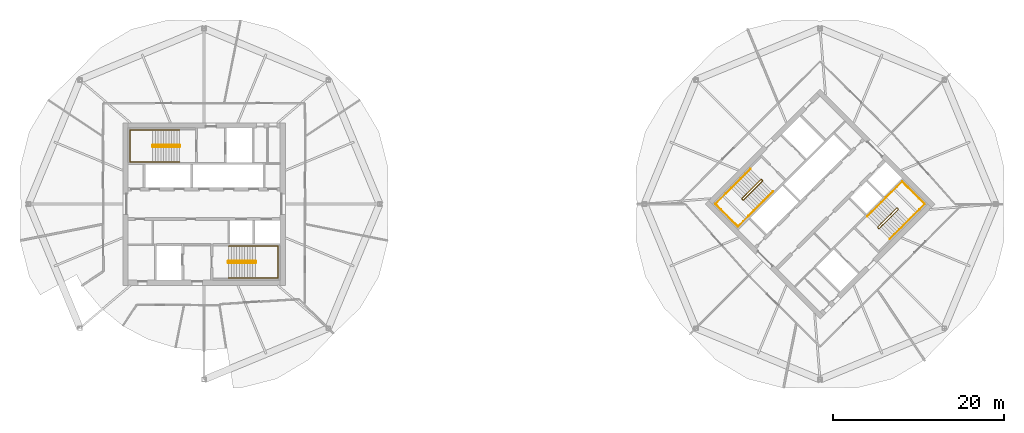
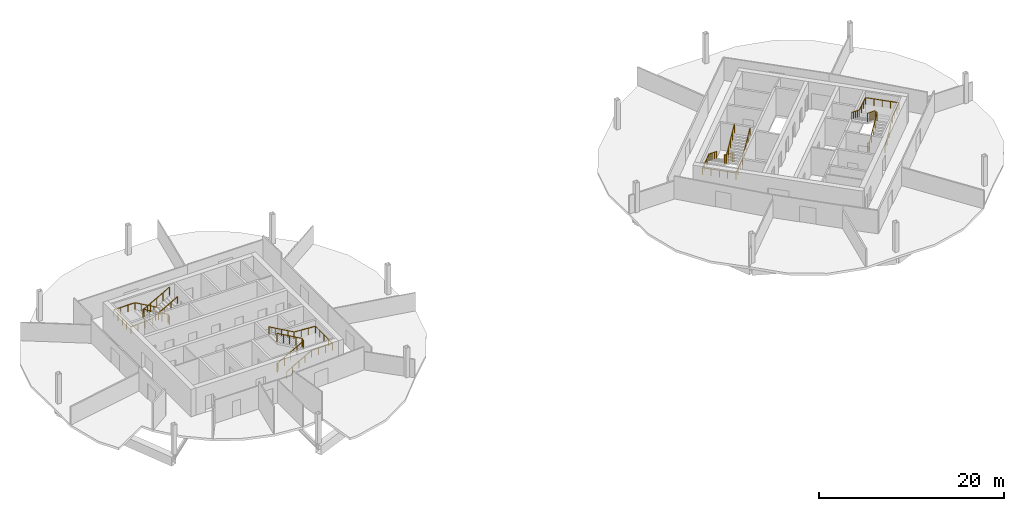
# One storey, part 9 of 9: 8 railings.
"""IFC4 building model written with IfcOpenShell, lengths in metres."""

import ifcopenshell
import ifcopenshell.guid

model = None  # the IFC model being written
_history = None  # IfcOwnerHistory: only IFC2X3 demands one
_inside = {}  # id of a spatial element -> (the spatial element, [elements in it])
_under = {}  # id of a project, library or spatial element -> (it, [spatial elements below it])
_declared = {}  # id of a project -> (the project, [libraries it declares])
_typed = {}  # id of a type object -> (the type object, [elements of that type])
_made_of = {}  # id of a material, layer set ... -> (it, [elements and type objects made of it])


def new_model(schema):
    """Start an empty IFC model of exactly this schema.

    Asked for "IFC4X3", IfcOpenShell would pick the latest addendum, in which some entities
    have other attributes; the version numbers below select the first issue.
    IFC2X3 requires an IfcOwnerHistory on every rooted entity: one is made here for all.
    """
    global model, _history
    if schema == "IFC4X3":
        model = ifcopenshell.file(schema_version=(4, 3, 0, 0))
    else:
        model = ifcopenshell.file(schema=schema)
    _inside.clear()
    _under.clear()
    _declared.clear()
    _typed.clear()
    _made_of.clear()
    _history = None
    if model.schema == "IFC2X3":
        org = make("IfcOrganization", Name="unknown")
        user = make(
            "IfcPersonAndOrganization",
            ThePerson=make("IfcPerson", FamilyName="unknown"),
            TheOrganization=org,
        )
        app = make(
            "IfcApplication",
            ApplicationDeveloper=org,
            Version="unknown",
            ApplicationFullName="unknown",
            ApplicationIdentifier="unknown",
        )
        _history = make(
            "IfcOwnerHistory",
            OwningUser=user,
            OwningApplication=app,
            ChangeAction="ADDED",
            CreationDate=0,
        )
    return model


def make(cls, **values):
    """One entity of the class cls with the attributes given. An attribute that is None is left unset."""
    return model.create_entity(
        cls, **{name: value for name, value in values.items() if value is not None}
    )


def rooted(cls, **values):
    """An entity with a GlobalId (a new one), such as an element, a storey or a relation."""
    return make(cls, GlobalId=ifcopenshell.guid.new(), OwnerHistory=_history, **values)


def si_unit(unit_type, name, prefix=None):
    """IfcSIUnit, for example si_unit("LENGTHUNIT", "METRE", prefix="MILLI")."""
    return make("IfcSIUnit", UnitType=unit_type, Prefix=prefix, Name=name)


def assignment(units):
    """IfcUnitAssignment: the units of a project."""
    return None if units is None else make("IfcUnitAssignment", Units=units)


def point(xyz):
    """IfcCartesianPoint."""
    return None if xyz is None else make("IfcCartesianPoint", Coordinates=xyz)


def direction(xyz):
    """IfcDirection."""
    return None if xyz is None else make("IfcDirection", DirectionRatios=xyz)


def frame(location, z_axis=None, x_axis=None):
    """IfcAxis2Placement3D, a coordinate frame: its origin and axes. An axis left out is left unset."""
    return make(
        "IfcAxis2Placement3D",
        Location=point(location),
        Axis=direction(z_axis),
        RefDirection=direction(x_axis),
    )


def frame_2d(location, x_axis=None):
    """IfcAxis2Placement2D, a coordinate frame in the plane: its origin and x axis."""
    return make(
        "IfcAxis2Placement2D", Location=point(location), RefDirection=direction(x_axis)
    )


def origin():
    """The frame at (0, 0, 0) with its axes left unset."""
    return frame((0.0, 0.0, 0.0))


def origin_2d():
    """The frame at (0, 0) in the plane with its x axis left unset."""
    return frame_2d((0.0, 0.0))


def place(relative_to, where):
    """IfcLocalPlacement: puts the frame where relative to a parent placement (None: the world)."""
    return make(
        "IfcLocalPlacement", PlacementRelTo=relative_to, RelativePlacement=where
    )


def context(
    kind, dimensions, precision=None, world=None, true_north=None, identifier=None
):
    """IfcGeometricRepresentationContext, for example the 3D "Model" context."""
    return make(
        "IfcGeometricRepresentationContext",
        ContextIdentifier=identifier,
        ContextType=kind,
        CoordinateSpaceDimension=dimensions,
        Precision=precision,
        WorldCoordinateSystem=world,
        TrueNorth=true_north,
    )


def subcontext(parent, identifier, kind, view, scale=None):
    """IfcGeometricRepresentationSubContext, for example "Body" below "Model"."""
    return make(
        "IfcGeometricRepresentationSubContext",
        ContextIdentifier=identifier,
        ContextType=kind,
        ParentContext=parent,
        TargetScale=scale,
        TargetView=view,
    )


def project(units=None, contexts=None):
    """IfcProject with its units and contexts."""
    return rooted(
        "IfcProject",
        Name="project",
        RepresentationContexts=contexts,
        UnitsInContext=assignment(units),
    )


def spatial(cls, under=None, at=None, **own):
    """A site, building, storey or space (cls), placed at a placement, below another one or the project."""
    s = rooted(cls, ObjectPlacement=at, **own)
    if under is not None:
        _under.setdefault(under.id(), (under, []))[1].append(s)
    return s


def profile(cls, at=None, kind="AREA", **sizes):
    """A parametric profile (cls). Its sizes go by their IFC names, for example OverallWidth=200.0."""
    return make(cls, ProfileType=kind, Position=at, **sizes)


def circle(**sizes):
    """IfcCircleProfileDef."""
    return profile("IfcCircleProfileDef", **sizes)


def extrude(swept, where, along, depth):
    """IfcExtrudedAreaSolid: the profile swept, set in the frame where, extruded along a direction by depth."""
    return make(
        "IfcExtrudedAreaSolid",
        SweptArea=swept,
        Position=where,
        ExtrudedDirection=direction(along),
        Depth=depth,
    )


def shape(context_of_items, identifier, shape_type, items):
    """IfcShapeRepresentation: the items that make up one representation, for example the "Body"."""
    return make(
        "IfcShapeRepresentation",
        ContextOfItems=context_of_items,
        RepresentationIdentifier=identifier,
        RepresentationType=shape_type,
        Items=items,
    )


def material(Name=None, Category=None):
    """IfcMaterial."""
    return make("IfcMaterial", Name=Name, Category=Category)


def made_of(thing, what):
    """Note that an element or type object is made of a material, layer set ...; save() writes the relation."""
    if what is not None:
        _made_of.setdefault(what.id(), (what, []))[1].append(thing)
    return thing


def type_object(cls, material=None, **own):
    """A type object (cls), such as IfcWallType, which elements share."""
    return made_of(rooted(cls, **own), material)


def element(
    cls,
    number,
    at=None,
    inside=None,
    cuts=None,
    type_object=None,
    material=None,
    context=None,
    identifier="Body",
    shape_type=None,
    held_by="IfcProductDefinitionShape",
    body=None,
    shapes=None,
    **own,
):
    """One element of the class cls, such as IfcWall. Its Tag is "e" and its number.

    at: its placement. inside: the storey or other place that contains it. cuts: it is an
    opening in that element (IfcRelVoidsElement). A single representation is given by context,
    identifier, shape_type and body (its items); several are given by shapes. held_by: the class
    of the entity that holds the representations. save() writes the other relations.
    """
    e = rooted(cls, Tag="e%d" % number, ObjectPlacement=at, **own)
    if body is not None:
        shapes = [shape(context, identifier, shape_type, body)]
    if shapes is not None:
        e.Representation = make(held_by, Representations=shapes)
    if inside is not None:
        _inside.setdefault(inside.id(), (inside, []))[1].append(e)
    if cuts is not None:
        rooted(
            "IfcRelVoidsElement", RelatingBuildingElement=cuts, RelatedOpeningElement=e
        )
    if type_object is not None:
        _typed.setdefault(type_object.id(), (type_object, []))[1].append(e)
    return made_of(e, material)


def aggregate(whole, parts):
    """IfcRelAggregates: a whole, such as a stair, and the parts it consists of."""
    return rooted("IfcRelAggregates", RelatingObject=whole, RelatedObjects=parts)


def save(model, path):
    """Write the relations noted so far, then the file.

    IfcRelAggregates (storeys below a building ...), IfcRelContainedInSpatialStructure (elements
    in a storey), IfcRelDefinesByType, IfcRelAssociatesMaterial and IfcRelDeclares: one each for
    every whole, place, type object, material and project.
    """
    for whole, parts in _under.values():
        aggregate(whole, parts)
    for where, things in _inside.values():
        rooted(
            "IfcRelContainedInSpatialStructure",
            RelatedElements=things,
            RelatingStructure=where,
        )
    for kind, things in _typed.values():
        rooted("IfcRelDefinesByType", RelatedObjects=things, RelatingType=kind)
    for what, things in _made_of.values():
        rooted("IfcRelAssociatesMaterial", RelatedObjects=things, RelatingMaterial=what)
    for by, libraries in _declared.values():
        rooted("IfcRelDeclares", RelatingContext=by, RelatedDefinitions=libraries)
    model.write(path)


model = new_model("IFC4")

# Units and contexts
model_context = context("Model", 3, precision=1e-05, world=origin(), true_north=direction((0.0, 1.0)))
body_context = subcontext(model_context, "Body", "Model", "MODEL_VIEW")
ifc_project = project(units=[si_unit("LENGTHUNIT", "METRE"), si_unit("AREAUNIT", "SQUARE_METRE"), si_unit("VOLUMEUNIT", "CUBIC_METRE"), si_unit("PLANEANGLEUNIT", "RADIAN"), si_unit("MASSUNIT", "GRAM", prefix="KILO")], contexts=[model_context])

# Site, building, storey
site_placement = place(None, origin())
site = spatial("IfcSite", under=ifc_project, at=site_placement, CompositionType="ELEMENT")
building_placement = place(site_placement, origin())
building = spatial("IfcBuilding", under=site, at=building_placement, Name="Ogive Gate Towers", CompositionType="ELEMENT")
storey_placement = place(building_placement, frame((0.0, 0.0, 192.89990234375)))
storey = spatial("IfcBuildingStorey", under=building, at=storey_placement, Name="L46", CompositionType="ELEMENT", Elevation=192.89990234375)

# Railings
ifc_material = material(Name="Stainless steel", Category="steel")
railing_type_1 = type_object("IfcRailingType", Name="Stair guard 1100", PredefinedType="GUARDRAIL", material=ifc_material)
railing_1_placement = place(storey_placement, frame((-38.81494140625, 6.860107421875, 0.0)))
element("IfcRailing", 1, at=railing_1_placement, inside=storey, type_object=railing_type_1, Name="L46 ST1 stair guard 1", PredefinedType="GUARDRAIL", context=body_context, shape_type="SweptSolid", body=[
    extrude(circle(Radius=0.02392578125, at=origin_2d()), frame((0.0, 0.0, 1.076171875), z_axis=(0.0, -1.0, 0.0), x_axis=(1.0, 0.0, 0.0)), (0.0, 0.0, 1.0), 0.14501953125),
    extrude(circle(Radius=0.02392578125, at=origin_2d()), frame((0.0, -0.14501953125, 1.076171875), z_axis=(-0.186567429962, 0.726247849316, 0.661631812598), x_axis=(-0.968551454522, -0.24881334358, 0.0)), (0.0, 0.0, 1.0), 0.268310546875),
    extrude(circle(Radius=0.02392578125, at=origin_2d()), frame((-0.050048828125, 0.0498046875, 1.25341796875), z_axis=(-0.870572935281, 0.0, 0.492039393094), x_axis=(0.0, -1.0, 0.0)), (0.0, 0.0, 1.0), 3.602783203125),
    extrude(circle(Radius=0.02392578125, at=origin_2d()), frame((-3.1865234375, 0.0498046875, 3.0263671875), z_axis=(-0.707106781187, -0.707106781187, 0.0), x_axis=(0.707106781187, -0.707106781187, 0.0)), (0.0, 0.0, 1.0), 0.0703125),
    extrude(circle(Radius=0.02392578125, at=origin_2d()), frame((-3.236328125, 0.0, 3.0263671875), z_axis=(0.0, -1.0, 0.0), x_axis=(1.0, 0.0, 0.0)), (0.0, 0.0, 1.0), 0.14501953125),
    extrude(circle(Radius=0.02392578125, at=origin_2d()), frame((-3.236328125, -0.14501953125, 3.0263671875), z_axis=(0.261041864531, -0.262321481514, 0.929001929653), x_axis=(0.708833529934, 0.705375805398, 0.0)), (0.0, 0.0, 1.0), 0.190673828125),
    extrude(circle(Radius=0.02392578125, at=origin_2d()), frame((-3.1865234375, -0.195068359375, 3.20361328125), z_axis=(0.870572935281, 0.0, 0.492039393094), x_axis=(0.0, 1.0, 0.0)), (0.0, 0.0, 1.0), 3.602783203125),
    extrude(circle(Radius=0.02099609375, at=origin_2d()), origin(), (0.0, 0.0, 1.0), 1.052001953125),
    extrude(circle(Radius=0.02099609375, at=origin_2d()), frame((0.0, -0.14501953125, 0.0)), (0.0, 0.0, 1.0), 1.052001953125),
    extrude(circle(Radius=0.02099609375, at=origin_2d()), frame((-0.050048828125, 0.0498046875, 0.177490234375)), (0.0, 0.0, 1.0), 1.052001953125),
    extrude(circle(Radius=0.02099609375, at=origin_2d()), frame((-0.834228515625, 0.0498046875, 0.62060546875)), (0.0, 0.0, 1.0), 1.052001953125),
    extrude(circle(Radius=0.02099609375, at=origin_2d()), frame((-1.6181640625, 0.0498046875, 1.06396484375)), (0.0, 0.0, 1.0), 1.052001953125),
    extrude(circle(Radius=0.02099609375, at=origin_2d()), frame((-2.40234375, 0.0498046875, 1.507080078125)), (0.0, 0.0, 1.0), 1.052001953125),
    extrude(circle(Radius=0.02099609375, at=origin_2d()), frame((-3.1865234375, 0.0498046875, 1.9501953125)), (0.0, 0.0, 1.0), 1.052001953125),
    extrude(circle(Radius=0.02099609375, at=origin_2d()), frame((-3.236328125, 0.0, 1.9501953125)), (0.0, 0.0, 1.0), 1.052001953125),
    extrude(circle(Radius=0.02099609375, at=origin_2d()), frame((-3.236328125, -0.14501953125, 1.9501953125)), (0.0, 0.0, 1.0), 1.052001953125),
    extrude(circle(Radius=0.02099609375, at=origin_2d()), frame((-3.1865234375, -0.195068359375, 2.12744140625)), (0.0, 0.0, 1.0), 1.052001953125),
    extrude(circle(Radius=0.02099609375, at=origin_2d()), frame((-2.40234375, -0.195068359375, 2.570556640625)), (0.0, 0.0, 1.0), 1.052001953125),
    extrude(circle(Radius=0.02099609375, at=origin_2d()), frame((-1.6181640625, -0.195068359375, 3.013671875)), (0.0, 0.0, 1.0), 1.052001953125),
    extrude(circle(Radius=0.02099609375, at=origin_2d()), frame((-0.834228515625, -0.195068359375, 3.45703125)), (0.0, 0.0, 1.0), 1.052001953125),
    extrude(circle(Radius=0.02099609375, at=origin_2d()), frame((-0.050048828125, -0.195068359375, 3.900146484375)), (0.0, 0.0, 1.0), 1.052001953125),
])
railing_2_placement = place(storey_placement, frame((-33.18505859375, -6.860107421875, 0.0)))
element("IfcRailing", 2, at=railing_2_placement, inside=storey, type_object=railing_type_1, Name="L46 ST2 stair guard 1", PredefinedType="GUARDRAIL", context=body_context, shape_type="SweptSolid", body=[
    extrude(circle(Radius=0.02392578125, at=origin_2d()), frame((0.0, 0.0, 1.076171875), z_axis=(0.0, 1.0, 0.0), x_axis=(-1.0, 0.0, 0.0)), (0.0, 0.0, 1.0), 0.14501953125),
    extrude(circle(Radius=0.02392578125, at=origin_2d()), frame((0.0, 0.14501953125, 1.076171875), z_axis=(0.186567429962, -0.726247849316, 0.661631812598), x_axis=(0.968551454522, 0.24881334358, 0.0)), (0.0, 0.0, 1.0), 0.268310546875),
    extrude(circle(Radius=0.02392578125, at=origin_2d()), frame((0.050048828125, -0.0498046875, 1.25341796875), z_axis=(0.870572935281, 0.0, 0.492039393094), x_axis=(0.0, 1.0, 0.0)), (0.0, 0.0, 1.0), 3.602783203125),
    extrude(circle(Radius=0.02392578125, at=origin_2d()), frame((3.1865234375, -0.0498046875, 3.0263671875), z_axis=(0.707106781187, 0.707106781187, 0.0), x_axis=(-0.707106781187, 0.707106781187, 0.0)), (0.0, 0.0, 1.0), 0.0703125),
    extrude(circle(Radius=0.02392578125, at=origin_2d()), frame((3.236328125, 0.0, 3.0263671875), z_axis=(0.0, 1.0, 0.0), x_axis=(-1.0, 0.0, 0.0)), (0.0, 0.0, 1.0), 0.14501953125),
    extrude(circle(Radius=0.02392578125, at=origin_2d()), frame((3.236328125, 0.14501953125, 3.0263671875), z_axis=(-0.261041864531, 0.262321481514, 0.929001929653), x_axis=(-0.708833529934, -0.705375805398, 0.0)), (0.0, 0.0, 1.0), 0.190673828125),
    extrude(circle(Radius=0.02392578125, at=origin_2d()), frame((3.1865234375, 0.195068359375, 3.20361328125), z_axis=(-0.870572935281, 0.0, 0.492039393094), x_axis=(0.0, -1.0, 0.0)), (0.0, 0.0, 1.0), 3.602783203125),
    extrude(circle(Radius=0.02099609375, at=origin_2d()), origin(), (0.0, 0.0, 1.0), 1.052001953125),
    extrude(circle(Radius=0.02099609375, at=origin_2d()), frame((0.0, 0.14501953125, 0.0)), (0.0, 0.0, 1.0), 1.052001953125),
    extrude(circle(Radius=0.02099609375, at=origin_2d()), frame((0.050048828125, -0.0498046875, 0.177490234375)), (0.0, 0.0, 1.0), 1.052001953125),
    extrude(circle(Radius=0.02099609375, at=origin_2d()), frame((0.834228515625, -0.0498046875, 0.62060546875)), (0.0, 0.0, 1.0), 1.052001953125),
    extrude(circle(Radius=0.02099609375, at=origin_2d()), frame((1.6181640625, -0.0498046875, 1.06396484375)), (0.0, 0.0, 1.0), 1.052001953125),
    extrude(circle(Radius=0.02099609375, at=origin_2d()), frame((2.40234375, -0.0498046875, 1.507080078125)), (0.0, 0.0, 1.0), 1.052001953125),
    extrude(circle(Radius=0.02099609375, at=origin_2d()), frame((3.1865234375, -0.0498046875, 1.9501953125)), (0.0, 0.0, 1.0), 1.052001953125),
    extrude(circle(Radius=0.02099609375, at=origin_2d()), frame((3.236328125, 0.0, 1.9501953125)), (0.0, 0.0, 1.0), 1.052001953125),
    extrude(circle(Radius=0.02099609375, at=origin_2d()), frame((3.236328125, 0.14501953125, 1.9501953125)), (0.0, 0.0, 1.0), 1.052001953125),
    extrude(circle(Radius=0.02099609375, at=origin_2d()), frame((3.1865234375, 0.195068359375, 2.12744140625)), (0.0, 0.0, 1.0), 1.052001953125),
    extrude(circle(Radius=0.02099609375, at=origin_2d()), frame((2.40234375, 0.195068359375, 2.570556640625)), (0.0, 0.0, 1.0), 1.052001953125),
    extrude(circle(Radius=0.02099609375, at=origin_2d()), frame((1.6181640625, 0.195068359375, 3.013671875)), (0.0, 0.0, 1.0), 1.052001953125),
    extrude(circle(Radius=0.02099609375, at=origin_2d()), frame((0.834228515625, 0.195068359375, 3.45703125)), (0.0, 0.0, 1.0), 1.052001953125),
    extrude(circle(Radius=0.02099609375, at=origin_2d()), frame((0.050048828125, 0.195068359375, 3.900146484375)), (0.0, 0.0, 1.0), 1.052001953125),
])
railing_3_placement = place(storey_placement, frame((29.15869140625, 2.8603515625, 0.0)))
element("IfcRailing", 3, at=railing_3_placement, inside=storey, type_object=railing_type_1, Name="L46 ST1 stair guard 1", PredefinedType="GUARDRAIL", context=body_context, shape_type="SweptSolid", body=[
    extrude(circle(Radius=0.02392578125, at=origin_2d()), frame((0.0, 0.0, 1.076171875), z_axis=(0.707106781187, -0.707106781187, 0.0), x_axis=(0.707106781187, 0.707106781187, 0.0)), (0.0, 0.0, 1.0), 0.14501953125),
    extrude(circle(Radius=0.02392578125, at=origin_2d()), frame((0.1025390625, -0.1025390625, 1.076171875), z_axis=(-0.645182954318, 0.382195826253, 0.661562775443), x_axis=(-0.509669330572, -0.860370369942, 0.0)), (0.0, 0.0, 1.0), 0.268310546875),
    extrude(circle(Radius=0.02392578125, at=origin_2d()), frame((-0.070556640625, 0.0, 1.25341796875), z_axis=(-0.61558473135, -0.61558473135, 0.49204763698), x_axis=(0.707106781187, -0.707106781187, 0.0)), (0.0, 0.0, 1.0), 3.602783203125),
    extrude(circle(Radius=0.02392578125, at=origin_2d()), frame((-2.288330078125, -2.2177734375, 3.0263671875), z_axis=(0.0, -1.0, 0.0), x_axis=(1.0, 0.0, 0.0)), (0.0, 0.0, 1.0), 0.07080078125),
    extrude(circle(Radius=0.02392578125, at=origin_2d()), frame((-2.288330078125, -2.28857421875, 3.0263671875), z_axis=(0.707106781187, -0.707106781187, 0.0), x_axis=(0.707106781187, 0.707106781187, 0.0)), (0.0, 0.0, 1.0), 0.14501953125),
    extrude(circle(Radius=0.02392578125, at=origin_2d()), frame((-2.185791015625, -2.39111328125, 3.0263671875), z_axis=(0.369845645421, 0.0, 0.929093213065), x_axis=(0.0, 1.0, 0.0)), (0.0, 0.0, 1.0), 0.190673828125),
    extrude(circle(Radius=0.02392578125, at=origin_2d()), frame((-2.115234375, -2.39111328125, 3.20361328125), z_axis=(0.61558473135, 0.61558473135, 0.49204763698), x_axis=(-0.707106781187, 0.707106781187, 0.0)), (0.0, 0.0, 1.0), 3.602783203125),
    extrude(circle(Radius=0.02099609375, at=origin_2d()), origin(), (0.0, 0.0, 1.0), 1.052001953125),
    extrude(circle(Radius=0.02099609375, at=origin_2d()), frame((0.1025390625, -0.1025390625, 0.0)), (0.0, 0.0, 1.0), 1.052001953125),
    extrude(circle(Radius=0.02099609375, at=origin_2d()), frame((-0.070556640625, 0.0, 0.177490234375)), (0.0, 0.0, 1.0), 1.052001953125),
    extrude(circle(Radius=0.02099609375, at=origin_2d()), frame((-0.625, -0.554443359375, 0.62060546875)), (0.0, 0.0, 1.0), 1.052001953125),
    extrude(circle(Radius=0.02099609375, at=origin_2d()), frame((-1.179443359375, -1.10888671875, 1.06396484375)), (0.0, 0.0, 1.0), 1.052001953125),
    extrude(circle(Radius=0.02099609375, at=origin_2d()), frame((-1.73388671875, -1.663330078125, 1.507080078125)), (0.0, 0.0, 1.0), 1.052001953125),
    extrude(circle(Radius=0.02099609375, at=origin_2d()), frame((-2.288330078125, -2.2177734375, 1.9501953125)), (0.0, 0.0, 1.0), 1.052001953125),
    extrude(circle(Radius=0.02099609375, at=origin_2d()), frame((-2.288330078125, -2.28857421875, 1.9501953125)), (0.0, 0.0, 1.0), 1.052001953125),
    extrude(circle(Radius=0.02099609375, at=origin_2d()), frame((-2.185791015625, -2.39111328125, 1.9501953125)), (0.0, 0.0, 1.0), 1.052001953125),
    extrude(circle(Radius=0.02099609375, at=origin_2d()), frame((-2.115234375, -2.39111328125, 2.12744140625)), (0.0, 0.0, 1.0), 1.052001953125),
    extrude(circle(Radius=0.02099609375, at=origin_2d()), frame((-1.560791015625, -1.836669921875, 2.570556640625)), (0.0, 0.0, 1.0), 1.052001953125),
    extrude(circle(Radius=0.02099609375, at=origin_2d()), frame((-1.00634765625, -1.2822265625, 3.013671875)), (0.0, 0.0, 1.0), 1.052001953125),
    extrude(circle(Radius=0.02099609375, at=origin_2d()), frame((-0.451904296875, -0.727783203125, 3.45703125)), (0.0, 0.0, 1.0), 1.052001953125),
    extrude(circle(Radius=0.02099609375, at=origin_2d()), frame((0.1025390625, -0.17333984375, 3.900146484375)), (0.0, 0.0, 1.0), 1.052001953125),
])
railing_4_placement = place(storey_placement, frame((42.84130859375, -2.8603515625, 0.0)))
element("IfcRailing", 4, at=railing_4_placement, inside=storey, type_object=railing_type_1, Name="L46 ST2 stair guard 1", PredefinedType="GUARDRAIL", context=body_context, shape_type="SweptSolid", body=[
    extrude(circle(Radius=0.02392578125, at=origin_2d()), frame((0.0, 0.0, 1.076171875), z_axis=(-0.707106781187, 0.707106781187, 0.0), x_axis=(-0.707106781187, -0.707106781187, 0.0)), (0.0, 0.0, 1.0), 0.14501953125),
    extrude(circle(Radius=0.02392578125, at=origin_2d()), frame((-0.1025390625, 0.1025390625, 1.076171875), z_axis=(0.645182954318, -0.382195826253, 0.661562775443), x_axis=(0.509669330572, 0.860370369942, 0.0)), (0.0, 0.0, 1.0), 0.268310546875),
    extrude(circle(Radius=0.02392578125, at=origin_2d()), frame((0.070556640625, 0.0, 1.25341796875), z_axis=(0.61558473135, 0.61558473135, 0.49204763698), x_axis=(-0.707106781187, 0.707106781187, 0.0)), (0.0, 0.0, 1.0), 3.602783203125),
    extrude(circle(Radius=0.02392578125, at=origin_2d()), frame((2.288330078125, 2.2177734375, 3.0263671875), z_axis=(0.0, 1.0, 0.0), x_axis=(-1.0, 0.0, 0.0)), (0.0, 0.0, 1.0), 0.07080078125),
    extrude(circle(Radius=0.02392578125, at=origin_2d()), frame((2.288330078125, 2.28857421875, 3.0263671875), z_axis=(-0.707106781187, 0.707106781187, 0.0), x_axis=(-0.707106781187, -0.707106781187, 0.0)), (0.0, 0.0, 1.0), 0.14501953125),
    extrude(circle(Radius=0.02392578125, at=origin_2d()), frame((2.185791015625, 2.39111328125, 3.0263671875), z_axis=(-0.369845645421, 0.0, 0.929093213065), x_axis=(0.0, -1.0, 0.0)), (0.0, 0.0, 1.0), 0.190673828125),
    extrude(circle(Radius=0.02392578125, at=origin_2d()), frame((2.115234375, 2.39111328125, 3.20361328125), z_axis=(-0.61558473135, -0.61558473135, 0.49204763698), x_axis=(0.707106781187, -0.707106781187, 0.0)), (0.0, 0.0, 1.0), 3.602783203125),
    extrude(circle(Radius=0.02099609375, at=origin_2d()), origin(), (0.0, 0.0, 1.0), 1.052001953125),
    extrude(circle(Radius=0.02099609375, at=origin_2d()), frame((-0.1025390625, 0.1025390625, 0.0)), (0.0, 0.0, 1.0), 1.052001953125),
    extrude(circle(Radius=0.02099609375, at=origin_2d()), frame((0.070556640625, 0.0, 0.177490234375)), (0.0, 0.0, 1.0), 1.052001953125),
    extrude(circle(Radius=0.02099609375, at=origin_2d()), frame((0.625, 0.554443359375, 0.62060546875)), (0.0, 0.0, 1.0), 1.052001953125),
    extrude(circle(Radius=0.02099609375, at=origin_2d()), frame((1.179443359375, 1.10888671875, 1.06396484375)), (0.0, 0.0, 1.0), 1.052001953125),
    extrude(circle(Radius=0.02099609375, at=origin_2d()), frame((1.73388671875, 1.663330078125, 1.507080078125)), (0.0, 0.0, 1.0), 1.052001953125),
    extrude(circle(Radius=0.02099609375, at=origin_2d()), frame((2.288330078125, 2.2177734375, 1.9501953125)), (0.0, 0.0, 1.0), 1.052001953125),
    extrude(circle(Radius=0.02099609375, at=origin_2d()), frame((2.288330078125, 2.28857421875, 1.9501953125)), (0.0, 0.0, 1.0), 1.052001953125),
    extrude(circle(Radius=0.02099609375, at=origin_2d()), frame((2.185791015625, 2.39111328125, 1.9501953125)), (0.0, 0.0, 1.0), 1.052001953125),
    extrude(circle(Radius=0.02099609375, at=origin_2d()), frame((2.115234375, 2.39111328125, 2.12744140625)), (0.0, 0.0, 1.0), 1.052001953125),
    extrude(circle(Radius=0.02099609375, at=origin_2d()), frame((1.560791015625, 1.836669921875, 2.570556640625)), (0.0, 0.0, 1.0), 1.052001953125),
    extrude(circle(Radius=0.02099609375, at=origin_2d()), frame((1.00634765625, 1.2822265625, 3.013671875)), (0.0, 0.0, 1.0), 1.052001953125),
    extrude(circle(Radius=0.02099609375, at=origin_2d()), frame((0.451904296875, 0.727783203125, 3.45703125)), (0.0, 0.0, 1.0), 1.052001953125),
    extrude(circle(Radius=0.02099609375, at=origin_2d()), frame((-0.1025390625, 0.17333984375, 3.900146484375)), (0.0, 0.0, 1.0), 1.052001953125),
])
railing_type_2 = type_object("IfcRailingType", Name="Stair handrail 900", PredefinedType="HANDRAIL", material=ifc_material)
railing_5_placement = place(storey_placement, frame((-38.864990234375, 8.64990234375, 0.177490234375)))
element("IfcRailing", 5, at=railing_5_placement, inside=storey, type_object=railing_type_2, Name="L46 ST1 stair handrail 1", PredefinedType="HANDRAIL", context=body_context, shape_type="SweptSolid", body=[
    extrude(circle(Radius=0.02392578125, at=origin_2d()), frame((0.0, 0.0, 0.8759765625), z_axis=(-0.870572935281, 0.0, 0.492039393094), x_axis=(0.0, -1.0, 0.0)), (0.0, 0.0, 1.0), 3.602783203125),
    extrude(circle(Radius=0.02392578125, at=origin_2d()), frame((-3.136474609375, 0.0, 2.6484375), z_axis=(-1.0, 0.0, 0.0), x_axis=(0.0, -1.0, 0.0)), (0.0, 0.0, 1.0), 2.6484375),
    extrude(circle(Radius=0.02392578125, at=origin_2d()), frame((-5.784912109375, 0.0, 2.6484375), z_axis=(0.0, -1.0, 0.0), x_axis=(1.0, 0.0, 0.0)), (0.0, 0.0, 1.0), 3.724853515625),
    extrude(circle(Radius=0.02392578125, at=origin_2d()), frame((-5.784912109375, -3.724853515625, 2.6484375), z_axis=(0.997768031817, 0.0, 0.066775404784), x_axis=(0.0, 1.0, 0.0)), (0.0, 0.0, 1.0), 2.654296875),
    extrude(circle(Radius=0.02392578125, at=origin_2d()), frame((-3.136474609375, -3.724853515625, 2.82568359375), z_axis=(0.870572935281, 0.0, 0.492039393094), x_axis=(0.0, 1.0, 0.0)), (0.0, 0.0, 1.0), 3.602783203125),
    extrude(circle(Radius=0.02099609375, at=origin_2d()), origin(), (0.0, 0.0, 1.0), 0.851806640625),
    extrude(circle(Radius=0.02099609375, at=origin_2d()), frame((-0.7841796875, 0.0, 0.443115234375)), (0.0, 0.0, 1.0), 0.851806640625),
    extrude(circle(Radius=0.02099609375, at=origin_2d()), frame((-1.568359375, 0.0, 0.88623046875)), (0.0, 0.0, 1.0), 0.851806640625),
    extrude(circle(Radius=0.02099609375, at=origin_2d()), frame((-2.352294921875, 0.0, 1.32958984375)), (0.0, 0.0, 1.0), 0.851806640625),
    extrude(circle(Radius=0.02099609375, at=origin_2d()), frame((-3.136474609375, 0.0, 1.772705078125)), (0.0, 0.0, 1.0), 0.851806640625),
    extrude(circle(Radius=0.02099609375, at=origin_2d()), frame((-4.019287109375, 0.0, 1.772705078125)), (0.0, 0.0, 1.0), 0.851806640625),
    extrude(circle(Radius=0.02099609375, at=origin_2d()), frame((-4.902099609375, 0.0, 1.772705078125)), (0.0, 0.0, 1.0), 0.851806640625),
    extrude(circle(Radius=0.02099609375, at=origin_2d()), frame((-5.784912109375, 0.0, 1.772705078125)), (0.0, 0.0, 1.0), 0.851806640625),
    extrude(circle(Radius=0.02099609375, at=origin_2d()), frame((-5.784912109375, -0.93115234375, 1.772705078125)), (0.0, 0.0, 1.0), 0.851806640625),
    extrude(circle(Radius=0.02099609375, at=origin_2d()), frame((-5.784912109375, -1.8623046875, 1.772705078125)), (0.0, 0.0, 1.0), 0.851806640625),
    extrude(circle(Radius=0.02099609375, at=origin_2d()), frame((-5.784912109375, -2.793701171875, 1.772705078125)), (0.0, 0.0, 1.0), 0.851806640625),
    extrude(circle(Radius=0.02099609375, at=origin_2d()), frame((-5.784912109375, -3.724853515625, 1.772705078125)), (0.0, 0.0, 1.0), 0.851806640625),
    extrude(circle(Radius=0.02099609375, at=origin_2d()), frame((-4.902099609375, -3.724853515625, 1.831787109375)), (0.0, 0.0, 1.0), 0.851806640625),
    extrude(circle(Radius=0.02099609375, at=origin_2d()), frame((-4.019287109375, -3.724853515625, 1.890869140625)), (0.0, 0.0, 1.0), 0.851806640625),
    extrude(circle(Radius=0.02099609375, at=origin_2d()), frame((-3.136474609375, -3.724853515625, 1.949951171875)), (0.0, 0.0, 1.0), 0.851806640625),
    extrude(circle(Radius=0.02099609375, at=origin_2d()), frame((-2.352294921875, -3.724853515625, 2.39306640625)), (0.0, 0.0, 1.0), 0.851806640625),
    extrude(circle(Radius=0.02099609375, at=origin_2d()), frame((-1.568359375, -3.724853515625, 2.83642578125)), (0.0, 0.0, 1.0), 0.851806640625),
    extrude(circle(Radius=0.02099609375, at=origin_2d()), frame((-0.7841796875, -3.724853515625, 3.279541015625)), (0.0, 0.0, 1.0), 0.851806640625),
    extrude(circle(Radius=0.02099609375, at=origin_2d()), frame((0.0, -3.724853515625, 3.72265625)), (0.0, 0.0, 1.0), 0.851806640625),
])
railing_6_placement = place(storey_placement, frame((-33.135009765625, -8.64990234375, 0.177490234375)))
element("IfcRailing", 6, at=railing_6_placement, inside=storey, type_object=railing_type_2, Name="L46 ST2 stair handrail 1", PredefinedType="HANDRAIL", context=body_context, shape_type="SweptSolid", body=[
    extrude(circle(Radius=0.02392578125, at=origin_2d()), frame((0.0, 0.0, 0.8759765625), z_axis=(0.870572935281, 0.0, 0.492039393094), x_axis=(0.0, 1.0, 0.0)), (0.0, 0.0, 1.0), 3.602783203125),
    extrude(circle(Radius=0.02392578125, at=origin_2d()), frame((3.136474609375, 0.0, 2.6484375), z_axis=(1.0, 0.0, 0.0), x_axis=(0.0, 1.0, 0.0)), (0.0, 0.0, 1.0), 2.6484375),
    extrude(circle(Radius=0.02392578125, at=origin_2d()), frame((5.784912109375, 0.0, 2.6484375), z_axis=(0.0, 1.0, 0.0), x_axis=(-1.0, 0.0, 0.0)), (0.0, 0.0, 1.0), 3.724853515625),
    extrude(circle(Radius=0.02392578125, at=origin_2d()), frame((5.784912109375, 3.724853515625, 2.6484375), z_axis=(-0.997768031817, 0.0, 0.066775404784), x_axis=(0.0, -1.0, 0.0)), (0.0, 0.0, 1.0), 2.654296875),
    extrude(circle(Radius=0.02392578125, at=origin_2d()), frame((3.136474609375, 3.724853515625, 2.82568359375), z_axis=(-0.870572935281, 0.0, 0.492039393094), x_axis=(0.0, -1.0, 0.0)), (0.0, 0.0, 1.0), 3.602783203125),
    extrude(circle(Radius=0.02099609375, at=origin_2d()), origin(), (0.0, 0.0, 1.0), 0.851806640625),
    extrude(circle(Radius=0.02099609375, at=origin_2d()), frame((0.7841796875, 0.0, 0.443115234375)), (0.0, 0.0, 1.0), 0.851806640625),
    extrude(circle(Radius=0.02099609375, at=origin_2d()), frame((1.568359375, 0.0, 0.88623046875)), (0.0, 0.0, 1.0), 0.851806640625),
    extrude(circle(Radius=0.02099609375, at=origin_2d()), frame((2.352294921875, 0.0, 1.32958984375)), (0.0, 0.0, 1.0), 0.851806640625),
    extrude(circle(Radius=0.02099609375, at=origin_2d()), frame((3.136474609375, 0.0, 1.772705078125)), (0.0, 0.0, 1.0), 0.851806640625),
    extrude(circle(Radius=0.02099609375, at=origin_2d()), frame((4.019287109375, 0.0, 1.772705078125)), (0.0, 0.0, 1.0), 0.851806640625),
    extrude(circle(Radius=0.02099609375, at=origin_2d()), frame((4.902099609375, 0.0, 1.772705078125)), (0.0, 0.0, 1.0), 0.851806640625),
    extrude(circle(Radius=0.02099609375, at=origin_2d()), frame((5.784912109375, 0.0, 1.772705078125)), (0.0, 0.0, 1.0), 0.851806640625),
    extrude(circle(Radius=0.02099609375, at=origin_2d()), frame((5.784912109375, 0.93115234375, 1.772705078125)), (0.0, 0.0, 1.0), 0.851806640625),
    extrude(circle(Radius=0.02099609375, at=origin_2d()), frame((5.784912109375, 1.8623046875, 1.772705078125)), (0.0, 0.0, 1.0), 0.851806640625),
    extrude(circle(Radius=0.02099609375, at=origin_2d()), frame((5.784912109375, 2.793701171875, 1.772705078125)), (0.0, 0.0, 1.0), 0.851806640625),
    extrude(circle(Radius=0.02099609375, at=origin_2d()), frame((5.784912109375, 3.724853515625, 1.772705078125)), (0.0, 0.0, 1.0), 0.851806640625),
    extrude(circle(Radius=0.02099609375, at=origin_2d()), frame((4.902099609375, 3.724853515625, 1.831787109375)), (0.0, 0.0, 1.0), 0.851806640625),
    extrude(circle(Radius=0.02099609375, at=origin_2d()), frame((4.019287109375, 3.724853515625, 1.890869140625)), (0.0, 0.0, 1.0), 0.851806640625),
    extrude(circle(Radius=0.02099609375, at=origin_2d()), frame((3.136474609375, 3.724853515625, 1.949951171875)), (0.0, 0.0, 1.0), 0.851806640625),
    extrude(circle(Radius=0.02099609375, at=origin_2d()), frame((2.352294921875, 3.724853515625, 2.39306640625)), (0.0, 0.0, 1.0), 0.851806640625),
    extrude(circle(Radius=0.02099609375, at=origin_2d()), frame((1.568359375, 3.724853515625, 2.83642578125)), (0.0, 0.0, 1.0), 0.851806640625),
    extrude(circle(Radius=0.02099609375, at=origin_2d()), frame((0.7841796875, 3.724853515625, 3.279541015625)), (0.0, 0.0, 1.0), 0.851806640625),
    extrude(circle(Radius=0.02099609375, at=origin_2d()), frame((0.0, 3.724853515625, 3.72265625)), (0.0, 0.0, 1.0), 0.851806640625),
])
railing_7_placement = place(storey_placement, frame((27.857666015625, 4.090576171875, 0.177490234375)))
element("IfcRailing", 7, at=railing_7_placement, inside=storey, type_object=railing_type_2, Name="L46 ST1 stair handrail 1", PredefinedType="HANDRAIL", context=body_context, shape_type="SweptSolid", body=[
    extrude(circle(Radius=0.02392578125, at=origin_2d()), frame((0.0, 0.0, 0.8759765625), z_axis=(-0.61558473135, -0.61558473135, 0.49204763698), x_axis=(0.707106781187, -0.707106781187, 0.0)), (0.0, 0.0, 1.0), 3.602783203125),
    extrude(circle(Radius=0.02392578125, at=origin_2d()), frame((-2.2177734375, -2.2177734375, 2.6484375), z_axis=(-0.707106781187, -0.707106781187, 0.0), x_axis=(0.707106781187, -0.707106781187, 0.0)), (0.0, 0.0, 1.0), 2.6484375),
    extrude(circle(Radius=0.02392578125, at=origin_2d()), frame((-4.090576171875, -4.090576171875, 2.6484375), z_axis=(0.707106781187, -0.707106781187, 0.0), x_axis=(0.707106781187, 0.707106781187, 0.0)), (0.0, 0.0, 1.0), 3.72509765625),
    extrude(circle(Radius=0.02392578125, at=origin_2d()), frame((-1.45654296875, -6.724609375, 2.6484375), z_axis=(0.705482886452, 0.705574853978, 0.066768423356), x_axis=(-0.70715286629, 0.70706069308, 0.0)), (0.0, 0.0, 1.0), 2.654541015625),
    extrude(circle(Radius=0.02392578125, at=origin_2d()), frame((0.416259765625, -4.8515625, 2.82568359375), z_axis=(0.615610411033, 0.615542642384, 0.4920681632), x_axis=(-0.70706785752, 0.70714570271, 0.0)), (0.0, 0.0, 1.0), 3.6025390625),
    extrude(circle(Radius=0.02099609375, at=origin_2d()), origin(), (0.0, 0.0, 1.0), 0.851806640625),
    extrude(circle(Radius=0.02099609375, at=origin_2d()), frame((-0.554443359375, -0.554443359375, 0.443115234375)), (0.0, 0.0, 1.0), 0.851806640625),
    extrude(circle(Radius=0.02099609375, at=origin_2d()), frame((-1.10888671875, -1.10888671875, 0.88623046875)), (0.0, 0.0, 1.0), 0.851806640625),
    extrude(circle(Radius=0.02099609375, at=origin_2d()), frame((-1.663330078125, -1.663330078125, 1.32958984375)), (0.0, 0.0, 1.0), 0.851806640625),
    extrude(circle(Radius=0.02099609375, at=origin_2d()), frame((-2.2177734375, -2.2177734375, 1.772705078125)), (0.0, 0.0, 1.0), 0.851806640625),
    extrude(circle(Radius=0.02099609375, at=origin_2d()), frame((-2.842041015625, -2.842041015625, 1.772705078125)), (0.0, 0.0, 1.0), 0.851806640625),
    extrude(circle(Radius=0.02099609375, at=origin_2d()), frame((-3.46630859375, -3.46630859375, 1.772705078125)), (0.0, 0.0, 1.0), 0.851806640625),
    extrude(circle(Radius=0.02099609375, at=origin_2d()), frame((-4.090576171875, -4.090576171875, 1.772705078125)), (0.0, 0.0, 1.0), 0.851806640625),
    extrude(circle(Radius=0.02099609375, at=origin_2d()), frame((-3.43212890625, -4.7490234375, 1.772705078125)), (0.0, 0.0, 1.0), 0.851806640625),
    extrude(circle(Radius=0.02099609375, at=origin_2d()), frame((-2.7734375, -5.40771484375, 1.772705078125)), (0.0, 0.0, 1.0), 0.851806640625),
    extrude(circle(Radius=0.02099609375, at=origin_2d()), frame((-2.114990234375, -6.066162109375, 1.772705078125)), (0.0, 0.0, 1.0), 0.851806640625),
    extrude(circle(Radius=0.02099609375, at=origin_2d()), frame((-1.45654296875, -6.724609375, 1.772705078125)), (0.0, 0.0, 1.0), 0.851806640625),
    extrude(circle(Radius=0.02099609375, at=origin_2d()), frame((-0.832275390625, -6.100341796875, 1.831787109375)), (0.0, 0.0, 1.0), 0.851806640625),
    extrude(circle(Radius=0.02099609375, at=origin_2d()), frame((-0.2080078125, -5.475830078125, 1.890869140625)), (0.0, 0.0, 1.0), 0.851806640625),
    extrude(circle(Radius=0.02099609375, at=origin_2d()), frame((0.416259765625, -4.8515625, 1.949951171875)), (0.0, 0.0, 1.0), 0.851806640625),
    extrude(circle(Radius=0.02099609375, at=origin_2d()), frame((0.970703125, -4.297119140625, 2.39306640625)), (0.0, 0.0, 1.0), 0.851806640625),
    extrude(circle(Radius=0.02099609375, at=origin_2d()), frame((1.525146484375, -3.74267578125, 2.83642578125)), (0.0, 0.0, 1.0), 0.851806640625),
    extrude(circle(Radius=0.02099609375, at=origin_2d()), frame((2.07958984375, -3.1884765625, 3.279541015625)), (0.0, 0.0, 1.0), 0.851806640625),
    extrude(circle(Radius=0.02099609375, at=origin_2d()), frame((2.634033203125, -2.634033203125, 3.72265625)), (0.0, 0.0, 1.0), 0.851806640625),
])
railing_8_placement = place(storey_placement, frame((44.142333984375, -4.090576171875, 0.177490234375)))
element("IfcRailing", 8, at=railing_8_placement, inside=storey, type_object=railing_type_2, Name="L46 ST2 stair handrail 1", PredefinedType="HANDRAIL", context=body_context, shape_type="SweptSolid", body=[
    extrude(circle(Radius=0.02392578125, at=origin_2d()), frame((0.0, 0.0, 0.8759765625), z_axis=(0.61558473135, 0.61558473135, 0.49204763698), x_axis=(-0.707106781187, 0.707106781187, 0.0)), (0.0, 0.0, 1.0), 3.602783203125),
    extrude(circle(Radius=0.02392578125, at=origin_2d()), frame((2.2177734375, 2.2177734375, 2.6484375), z_axis=(0.707106781187, 0.707106781187, 0.0), x_axis=(-0.707106781187, 0.707106781187, 0.0)), (0.0, 0.0, 1.0), 2.6484375),
    extrude(circle(Radius=0.02392578125, at=origin_2d()), frame((4.090576171875, 4.090576171875, 2.6484375), z_axis=(-0.707106781187, 0.707106781187, 0.0), x_axis=(-0.707106781187, -0.707106781187, 0.0)), (0.0, 0.0, 1.0), 3.72509765625),
    extrude(circle(Radius=0.02392578125, at=origin_2d()), frame((1.45654296875, 6.724609375, 2.6484375), z_axis=(-0.705482886452, -0.705574853978, 0.066768423356), x_axis=(0.70715286629, -0.70706069308, 0.0)), (0.0, 0.0, 1.0), 2.654541015625),
    extrude(circle(Radius=0.02392578125, at=origin_2d()), frame((-0.416259765625, 4.8515625, 2.82568359375), z_axis=(-0.615610411033, -0.615542642384, 0.4920681632), x_axis=(0.70706785752, -0.70714570271, 0.0)), (0.0, 0.0, 1.0), 3.6025390625),
    extrude(circle(Radius=0.02099609375, at=origin_2d()), origin(), (0.0, 0.0, 1.0), 0.851806640625),
    extrude(circle(Radius=0.02099609375, at=origin_2d()), frame((0.554443359375, 0.554443359375, 0.443115234375)), (0.0, 0.0, 1.0), 0.851806640625),
    extrude(circle(Radius=0.02099609375, at=origin_2d()), frame((1.10888671875, 1.10888671875, 0.88623046875)), (0.0, 0.0, 1.0), 0.851806640625),
    extrude(circle(Radius=0.02099609375, at=origin_2d()), frame((1.663330078125, 1.663330078125, 1.32958984375)), (0.0, 0.0, 1.0), 0.851806640625),
    extrude(circle(Radius=0.02099609375, at=origin_2d()), frame((2.2177734375, 2.2177734375, 1.772705078125)), (0.0, 0.0, 1.0), 0.851806640625),
    extrude(circle(Radius=0.02099609375, at=origin_2d()), frame((2.842041015625, 2.842041015625, 1.772705078125)), (0.0, 0.0, 1.0), 0.851806640625),
    extrude(circle(Radius=0.02099609375, at=origin_2d()), frame((3.46630859375, 3.46630859375, 1.772705078125)), (0.0, 0.0, 1.0), 0.851806640625),
    extrude(circle(Radius=0.02099609375, at=origin_2d()), frame((4.090576171875, 4.090576171875, 1.772705078125)), (0.0, 0.0, 1.0), 0.851806640625),
    extrude(circle(Radius=0.02099609375, at=origin_2d()), frame((3.43212890625, 4.7490234375, 1.772705078125)), (0.0, 0.0, 1.0), 0.851806640625),
    extrude(circle(Radius=0.02099609375, at=origin_2d()), frame((2.7734375, 5.40771484375, 1.772705078125)), (0.0, 0.0, 1.0), 0.851806640625),
    extrude(circle(Radius=0.02099609375, at=origin_2d()), frame((2.114990234375, 6.066162109375, 1.772705078125)), (0.0, 0.0, 1.0), 0.851806640625),
    extrude(circle(Radius=0.02099609375, at=origin_2d()), frame((1.45654296875, 6.724609375, 1.772705078125)), (0.0, 0.0, 1.0), 0.851806640625),
    extrude(circle(Radius=0.02099609375, at=origin_2d()), frame((0.832275390625, 6.100341796875, 1.831787109375)), (0.0, 0.0, 1.0), 0.851806640625),
    extrude(circle(Radius=0.02099609375, at=origin_2d()), frame((0.2080078125, 5.475830078125, 1.890869140625)), (0.0, 0.0, 1.0), 0.851806640625),
    extrude(circle(Radius=0.02099609375, at=origin_2d()), frame((-0.416259765625, 4.8515625, 1.949951171875)), (0.0, 0.0, 1.0), 0.851806640625),
    extrude(circle(Radius=0.02099609375, at=origin_2d()), frame((-0.970703125, 4.297119140625, 2.39306640625)), (0.0, 0.0, 1.0), 0.851806640625),
    extrude(circle(Radius=0.02099609375, at=origin_2d()), frame((-1.525146484375, 3.74267578125, 2.83642578125)), (0.0, 0.0, 1.0), 0.851806640625),
    extrude(circle(Radius=0.02099609375, at=origin_2d()), frame((-2.07958984375, 3.1884765625, 3.279541015625)), (0.0, 0.0, 1.0), 0.851806640625),
    extrude(circle(Radius=0.02099609375, at=origin_2d()), frame((-2.634033203125, 2.634033203125, 3.72265625)), (0.0, 0.0, 1.0), 0.851806640625),
])

save(model, "model.ifc")
